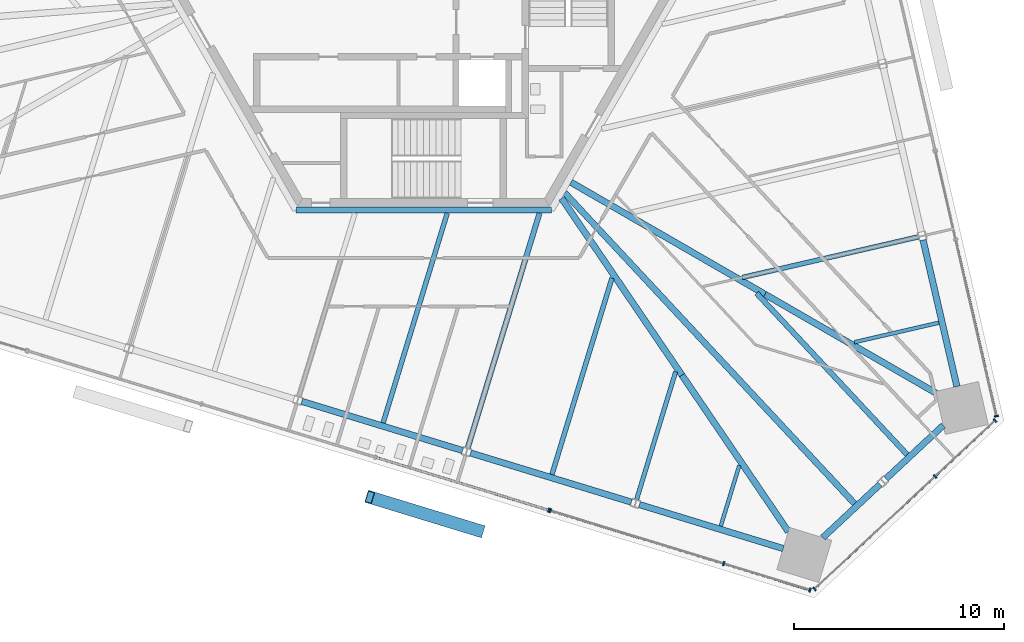
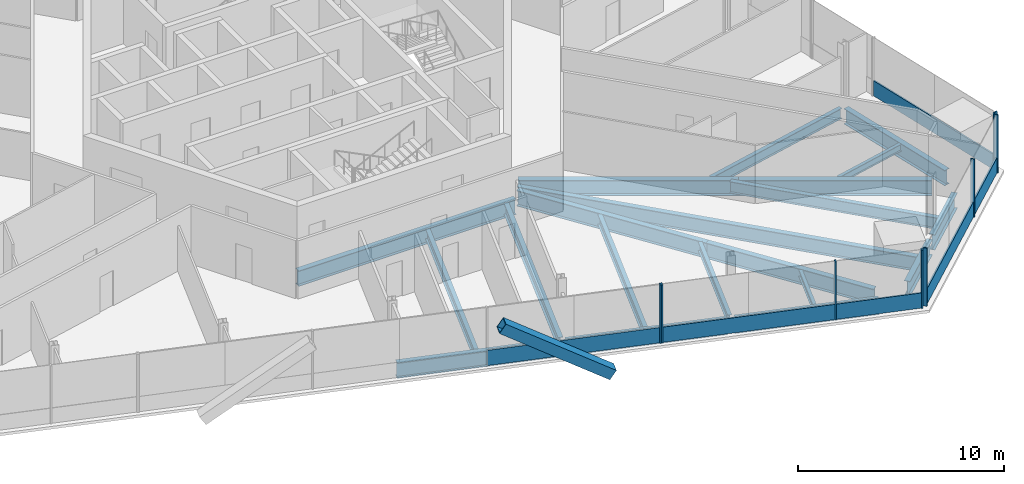
# One storey, part 5 of 19: 20 beams, 15 members, 4 elements without a shape of their own.
"""IFC4 building model written with IfcOpenShell, lengths in metres."""

from ifc_helpers import new_model, si_unit, direction, frame, origin, origin_2d, place, context, subcontext, project, spatial, rectangle, hollow_rectangle, i_section, extrude, source, transform, mapped, material, material_profile, profile_set, type_object, element, aggregate, save


model = new_model("IFC4")

# Units and contexts
model_context = context("Model", 3, precision=1e-05, world=origin(), true_north=direction((0.0, 1.0)))
body_context = subcontext(model_context, "Body", "Model", "MODEL_VIEW")
ifc_project = project(units=[si_unit("LENGTHUNIT", "METRE"), si_unit("AREAUNIT", "SQUARE_METRE"), si_unit("VOLUMEUNIT", "CUBIC_METRE"), si_unit("PLANEANGLEUNIT", "RADIAN"), si_unit("MASSUNIT", "GRAM", prefix="KILO")], contexts=[model_context])

# Site, building, storey
site_placement = place(None, origin())
site = spatial("IfcSite", under=ifc_project, at=site_placement, CompositionType="ELEMENT")
building_placement = place(site_placement, origin())
building = spatial("IfcBuilding", under=site, at=building_placement, Name="Triune Harvest Tower", CompositionType="ELEMENT")
storey_placement = place(building_placement, frame((0.0, 0.0, 109.10009765625)))
storey = spatial("IfcBuildingStorey", under=building, at=storey_placement, Name="L27", CompositionType="ELEMENT", Elevation=109.10009765625)

# Beams
ifc_material_1 = material(Name="Steel ASTM A992 Gr 50", Category="steel")
ifc_material_profile_1 = material_profile(ifc_material_1, i_section(OverallWidth=0.3046875, OverallDepth=0.914306640625, WebThickness=0.0166015625, FlangeThickness=0.02587890625, at=origin_2d()), Name="W36x160")
ifc_profile_set_1 = profile_set([ifc_material_profile_1], Name="Steel ASTM A992 Gr 50")
beam_type_1 = type_object("IfcBeamType", Name="CG-1 Core ring girder W36x160", PredefinedType="BEAM", material=ifc_profile_set_1)
shared_shape_1 = source(origin(), body_context, "Body", "SweptSolid", [
    extrude(i_section(OverallWidth=0.3046875, OverallDepth=0.914306640625, WebThickness=0.0166015625, FlangeThickness=0.02587890625, at=origin_2d()), origin(), (0.0, 0.0, 1.0), 12.17578125),
])
beam_1_placement = place(storey_placement, frame((-6.087890625, -10.544677734375, -0.6171875), z_axis=(1.0, 0.0, 0.0), x_axis=(0.0, 1.0, 0.0)))
element("IfcBeam", 1, at=beam_1_placement, inside=storey, type_object=beam_type_1, Name="beam/L27/CG5", PredefinedType="BEAM", context=body_context, shape_type="MappedRepresentation", body=[
    mapped(shared_shape_1, transform((0.0, 0.0, 0.0), scale=1.0)),
])
ifc_material_2 = material(Name="Steel ASTM A992 Gr 50", Category="steel")
ifc_material_profile_2 = material_profile(ifc_material_2, i_section(OverallWidth=0.307373046875, OverallDepth=0.922119140625, WebThickness=0.018310546875, FlangeThickness=0.030029296875, at=origin_2d()), Name="W36x182")
ifc_profile_set_2 = profile_set([ifc_material_profile_2], Name="Steel ASTM A992 Gr 50")
beam_type_2 = type_object("IfcBeamType", Name="HG-2 Hip girder W36x182", PredefinedType="BEAM", material=ifc_profile_set_2)
shared_shape_2 = source(origin(), body_context, "Body", "SweptSolid", [
    extrude(i_section(OverallWidth=0.307373046875, OverallDepth=0.922119140625, WebThickness=0.018310546875, FlangeThickness=0.030029296875, at=origin_2d()), origin(), (0.0, 0.0, 1.0), 10.681640625),
])
beam_2_placement = place(storey_placement, frame((16.27587890625, -14.56640625, -0.62109375), z_axis=(-0.866023441189, 0.500003399299, 0.0), x_axis=(-0.500003399299, -0.866023441189, 0.0)))
element("IfcBeam", 2, at=beam_2_placement, inside=storey, type_object=beam_type_2, Name="beam/L27/HG2", PredefinedType="BEAM", context=body_context, shape_type="MappedRepresentation", body=[
    mapped(shared_shape_2, transform((0.0, 0.0, 0.0), scale=1.0)),
])
shared_shape_3 = source(origin(), body_context, "Body", "SweptSolid", [
    extrude(i_section(OverallWidth=0.307373046875, OverallDepth=0.922119140625, WebThickness=0.018310546875, FlangeThickness=0.030029296875, at=origin_2d()), origin(), (0.0, 0.0, 1.0), 10.194091796875),
])
beam_3_placement = place(storey_placement, frame((12.31640625, -18.4208984375, -0.62109375), z_axis=(-0.562397141719, 0.826867253545, 0.0), x_axis=(-0.826867253545, -0.562397141719, 0.0)))
element("IfcBeam", 3, at=beam_3_placement, inside=storey, type_object=beam_type_2, Name="beam/L27/HG8", PredefinedType="BEAM", context=body_context, shape_type="MappedRepresentation", body=[
    mapped(shared_shape_3, transform((0.0, 0.0, 0.0), scale=1.0)),
])
ifc_material_3 = material(Name="Steel ASTM A992 Gr 50", Category="steel")
ifc_material_profile_3 = material_profile(ifc_material_3, i_section(OverallWidth=0.3046875, OverallDepth=0.914306640625, WebThickness=0.0166015625, FlangeThickness=0.02587890625, at=origin_2d()), Name="W36x160")
ifc_profile_set_3 = profile_set([ifc_material_profile_3], Name="Steel ASTM A992 Gr 50")
beam_type_3 = type_object("IfcBeamType", Name="SB-1 Spandrel beam W36x160", PredefinedType="SPANDREL", material=ifc_profile_set_3)
shared_shape_4 = source(origin(), body_context, "Body", "SweptSolid", [
    extrude(i_section(OverallWidth=0.3046875, OverallDepth=0.914306640625, WebThickness=0.0166015625, FlangeThickness=0.02587890625, at=origin_2d()), origin(), (0.0, 0.0, 1.0), 7.166259765625),
])
beam_4_placement = place(storey_placement, frame((25.42236328125, -18.96044921875, -0.6171875), z_axis=(-0.224949077026, 0.974370521283, 0.0), x_axis=(-0.974370521283, -0.224949077026, 0.0)))
element("IfcBeam", 4, at=beam_4_placement, inside=storey, type_object=beam_type_3, Name="beam/L27/SB1", PredefinedType="SPANDREL", context=body_context, shape_type="MappedRepresentation", body=[
    mapped(shared_shape_4, transform((0.0, 0.0, 0.0), scale=1.0)),
])
shared_shape_5 = source(origin(), body_context, "Body", "SweptSolid", [
    extrude(i_section(OverallWidth=0.3046875, OverallDepth=0.914306640625, WebThickness=0.0166015625, FlangeThickness=0.02587890625, at=origin_2d()), origin(), (0.0, 0.0, 1.0), 8.018310546875),
])
beam_5_placement = place(storey_placement, frame((-5.805908203125, -19.66748046875, -0.6171875), z_axis=(0.956308069579, -0.292360866152, 0.0), x_axis=(0.292360866152, 0.956308069579, 0.0)))
element("IfcBeam", 5, at=beam_5_placement, inside=storey, type_object=beam_type_3, Name="beam/L27/SB20", PredefinedType="SPANDREL", context=body_context, shape_type="MappedRepresentation", body=[
    mapped(shared_shape_5, transform((0.0, 0.0, 0.0), scale=1.0)),
])
shared_shape_6 = source(origin(), body_context, "Body", "SweptSolid", [
    extrude(i_section(OverallWidth=0.3046875, OverallDepth=0.914306640625, WebThickness=0.0166015625, FlangeThickness=0.02587890625, at=origin_2d()), origin(), (0.0, 0.0, 1.0), 8.01806640625),
])
beam_6_placement = place(storey_placement, frame((2.240966796875, -22.127685546875, -0.6171875), z_axis=(0.956305466934, -0.292369379231, 0.0), x_axis=(0.292369379231, 0.956305466934, 0.0)))
element("IfcBeam", 6, at=beam_6_placement, inside=storey, type_object=beam_type_3, Name="beam/L27/SB21", PredefinedType="SPANDREL", context=body_context, shape_type="MappedRepresentation", body=[
    mapped(shared_shape_6, transform((0.0, 0.0, 0.0), scale=1.0)),
])
shared_shape_7 = source(origin(), body_context, "Body", "SweptSolid", [
    extrude(i_section(OverallWidth=0.3046875, OverallDepth=0.914306640625, WebThickness=0.0166015625, FlangeThickness=0.02587890625, at=origin_2d()), origin(), (0.0, 0.0, 1.0), 7.16650390625),
])
beam_7_placement = place(storey_placement, frame((10.287841796875, -24.587646484375, -0.6171875), z_axis=(0.956296811344, -0.292397689137, 0.0), x_axis=(0.292397689137, 0.956296811344, 0.0)))
element("IfcBeam", 7, at=beam_7_placement, inside=storey, type_object=beam_type_3, Name="beam/L27/SB22", PredefinedType="SPANDREL", context=body_context, shape_type="MappedRepresentation", body=[
    mapped(shared_shape_7, transform((0.0, 0.0, 0.0), scale=1.0)),
])
shared_shape_8 = source(origin(), body_context, "Body", "SweptSolid", [
    extrude(i_section(OverallWidth=0.3046875, OverallDepth=0.914306640625, WebThickness=0.0166015625, FlangeThickness=0.02587890625, at=origin_2d()), origin(), (0.0, 0.0, 1.0), 3.72607421875),
])
beam_8_placement = place(storey_placement, frame((19.03173828125, -26.1630859375, -0.6171875), z_axis=(0.731344988612, 0.682007703499, 0.0), x_axis=(-0.682007703499, 0.731344988612, 0.0)))
element("IfcBeam", 8, at=beam_8_placement, inside=storey, type_object=beam_type_3, Name="beam/L27/SB23", PredefinedType="SPANDREL", context=body_context, shape_type="MappedRepresentation", body=[
    mapped(shared_shape_8, transform((0.0, 0.0, 0.0), scale=1.0)),
])
shared_shape_9 = source(origin(), body_context, "Body", "SweptSolid", [
    extrude(i_section(OverallWidth=0.3046875, OverallDepth=0.914306640625, WebThickness=0.0166015625, FlangeThickness=0.02587890625, at=origin_2d()), origin(), (0.0, 0.0, 1.0), 3.726318359375),
])
beam_9_placement = place(storey_placement, frame((22.046630859375, -23.351806640625, -0.6171875), z_axis=(0.731375462482, 0.681975023647, 0.0), x_axis=(-0.681975023647, 0.731375462482, 0.0)))
element("IfcBeam", 9, at=beam_9_placement, inside=storey, type_object=beam_type_3, Name="beam/L27/SB24", PredefinedType="SPANDREL", context=body_context, shape_type="MappedRepresentation", body=[
    mapped(shared_shape_9, transform((0.0, 0.0, 0.0), scale=1.0)),
])
shared_shape_10 = source(origin(), body_context, "Body", "SweptSolid", [
    extrude(i_section(OverallWidth=0.307373046875, OverallDepth=0.922119140625, WebThickness=0.018310546875, FlangeThickness=0.030029296875, at=origin_2d()), origin(), (0.0, 0.0, 1.0), 9.3984375),
])
beam_10_placement = place(storey_placement, frame((24.415283203125, -19.265625, -0.62109375), z_axis=(-0.866028560268, 0.49999453277, 0.0), x_axis=(-0.49999453277, -0.866028560268, 0.0)))
element("IfcBeam", 10, at=beam_10_placement, inside=storey, type_object=beam_type_2, Name="beam/L27/HG1", PredefinedType="BEAM", context=body_context, shape_type="MappedRepresentation", body=[
    mapped(shared_shape_10, transform((0.0, 0.0, 0.0), scale=1.0)),
])
shared_shape_11 = source(origin(), body_context, "Body", "SweptSolid", [
    extrude(i_section(OverallWidth=0.307373046875, OverallDepth=0.922119140625, WebThickness=0.018310546875, FlangeThickness=0.030029296875, at=origin_2d()), origin(), (0.0, 0.0, 1.0), 9.0166015625),
])
beam_11_placement = place(storey_placement, frame((17.3876953125, -25.876220703125, -0.62109375), z_axis=(-0.562436658991, 0.826840374331, 0.0), x_axis=(-0.826840374331, -0.562436658991, 0.0)))
element("IfcBeam", 11, at=beam_11_placement, inside=storey, type_object=beam_type_2, Name="beam/L27/HG7", PredefinedType="BEAM", context=body_context, shape_type="MappedRepresentation", body=[
    mapped(shared_shape_11, transform((0.0, 0.0, 0.0), scale=1.0)),
])
ifc_material_4 = material(Name="Steel ASTM A992 Gr 50", Category="steel")
ifc_material_profile_4 = material_profile(ifc_material_4, i_section(OverallWidth=0.180908203125, OverallDepth=0.41650390625, WebThickness=0.010986328125, FlangeThickness=0.01806640625, at=origin_2d()), Name="W16x57")
ifc_profile_set_4 = profile_set([ifc_material_profile_4], Name="Steel ASTM A992 Gr 50")
beam_type_4 = type_object("IfcBeamType", Name="JT-1 Floor joist W16x57", PredefinedType="JOIST", material=ifc_profile_set_4)
shared_shape_12 = source(origin(), body_context, "Body", "SweptSolid", [
    extrude(i_section(OverallWidth=0.180908203125, OverallDepth=0.41650390625, WebThickness=0.010986328125, FlangeThickness=0.01806640625, at=origin_2d()), origin(), (0.0, 0.0, 1.0), 4.1337890625),
])
beam_12_placement = place(storey_placement, frame((24.563720703125, -15.91845703125, -0.368408203125), z_axis=(-0.974368296684, -0.224958712697, 0.0), x_axis=(0.224958712697, -0.974368296684, 0.0)))
element("IfcBeam", 12, at=beam_12_placement, inside=storey, type_object=beam_type_4, Name="beam/L27/JT1", PredefinedType="JOIST", context=body_context, shape_type="MappedRepresentation", body=[
    mapped(shared_shape_12, transform((0.0, 0.0, 0.0), scale=1.0)),
])
ifc_material_5 = material(Name="Steel ASTM A992 Gr 50", Category="steel")
ifc_material_profile_5 = material_profile(ifc_material_5, i_section(OverallWidth=0.22900390625, OverallDepth=0.612060546875, WebThickness=0.011962890625, FlangeThickness=0.01953125, at=origin_2d()), Name="W24x84")
ifc_profile_set_5 = profile_set([ifc_material_profile_5], Name="Steel ASTM A992 Gr 50")
beam_type_5 = type_object("IfcBeamType", Name="JT-3 Floor joist W24x84", PredefinedType="JOIST", material=ifc_profile_set_5)
shared_shape_13 = source(origin(), body_context, "Body", "SweptSolid", [
    extrude(i_section(OverallWidth=0.22900390625, OverallDepth=0.612060546875, WebThickness=0.011962890625, FlangeThickness=0.01953125, at=origin_2d()), origin(), (0.0, 0.0, 1.0), 8.607421875),
])
beam_13_placement = place(storey_placement, frame((23.580078125, -11.82763671875, -0.46630859375), z_axis=(-0.97436872252, -0.224956868255, 0.0), x_axis=(0.224956868255, -0.97436872252, 0.0)))
element("IfcBeam", 13, at=beam_13_placement, inside=storey, type_object=beam_type_5, Name="beam/L27/JT2", PredefinedType="JOIST", context=body_context, shape_type="MappedRepresentation", body=[
    mapped(shared_shape_13, transform((0.0, 0.0, 0.0), scale=1.0)),
])
shared_shape_14 = source(origin(), body_context, "Body", "SweptSolid", [
    extrude(i_section(OverallWidth=0.22900390625, OverallDepth=0.612060546875, WebThickness=0.011962890625, FlangeThickness=0.01953125, at=origin_2d()), origin(), (0.0, 0.0, 1.0), 10.45361328125),
])
beam_14_placement = place(storey_placement, frame((-1.92724609375, -20.69384765625, -0.46630859375), z_axis=(0.29235559587, 0.956309680785, 0.0), x_axis=(-0.956309680785, 0.29235559587, 0.0)))
element("IfcBeam", 14, at=beam_14_placement, inside=storey, type_object=beam_type_5, Name="beam/L27/JT33", PredefinedType="JOIST", context=body_context, shape_type="MappedRepresentation", body=[
    mapped(shared_shape_14, transform((0.0, 0.0, 0.0), scale=1.0)),
])
shared_shape_15 = source(origin(), body_context, "Body", "SweptSolid", [
    extrude(i_section(OverallWidth=0.22900390625, OverallDepth=0.612060546875, WebThickness=0.011962890625, FlangeThickness=0.01953125, at=origin_2d()), origin(), (0.0, 0.0, 1.0), 9.790283203125),
])
beam_15_placement = place(storey_placement, frame((6.119384765625, -23.154052734375, -0.46630859375), z_axis=(0.292383884863, 0.956301032036, 0.0), x_axis=(-0.956301032036, 0.292383884863, 0.0)))
element("IfcBeam", 15, at=beam_15_placement, inside=storey, type_object=beam_type_5, Name="beam/L27/JT35", PredefinedType="JOIST", context=body_context, shape_type="MappedRepresentation", body=[
    mapped(shared_shape_15, transform((0.0, 0.0, 0.0), scale=1.0)),
])
ifc_material_6 = material(Name="Steel ASTM A992 Gr 50", Category="steel")
ifc_material_profile_6 = material_profile(ifc_material_6, i_section(OverallWidth=0.253662109375, OverallDepth=0.683349609375, WebThickness=0.012451171875, FlangeThickness=0.01904296875, at=origin_2d()), Name="W27x94")
ifc_profile_set_6 = profile_set([ifc_material_profile_6], Name="Steel ASTM A992 Gr 50")
beam_type_6 = type_object("IfcBeamType", Name="JT-4 Floor joist W27x94", PredefinedType="JOIST", material=ifc_profile_set_6)
shared_shape_16 = source(origin(), body_context, "Body", "SweptSolid", [
    extrude(i_section(OverallWidth=0.253662109375, OverallDepth=0.683349609375, WebThickness=0.012451171875, FlangeThickness=0.01904296875, at=origin_2d()), origin(), (0.0, 0.0, 1.0), 11.70166015625),
])
beam_16_placement = place(storey_placement, frame((2.107177734375, -21.887451171875, -0.501708984375), z_axis=(0.292381788251, 0.956301673061, 0.0), x_axis=(-0.956301673061, 0.292381788251, 0.0)))
element("IfcBeam", 16, at=beam_16_placement, inside=storey, type_object=beam_type_6, Name="beam/L27/JT34", PredefinedType="JOIST", context=body_context, shape_type="MappedRepresentation", body=[
    mapped(shared_shape_16, transform((0.0, 0.0, 0.0), scale=1.0)),
])
ifc_material_7 = material(Name="Steel ASTM A992 Gr 50", Category="steel")
ifc_material_profile_7 = material_profile(ifc_material_7, i_section(OverallWidth=0.2099609375, OverallDepth=0.535888671875, WebThickness=0.010986328125, FlangeThickness=0.017333984375, at=origin_2d()), Name="W21x68")
ifc_profile_set_7 = profile_set([ifc_material_profile_7], Name="Steel ASTM A992 Gr 50")
beam_type_7 = type_object("IfcBeamType", Name="JT-2 Floor joist W21x68", PredefinedType="JOIST", material=ifc_profile_set_7)
shared_shape_17 = source(origin(), body_context, "Body", "SweptSolid", [
    extrude(i_section(OverallWidth=0.2099609375, OverallDepth=0.535888671875, WebThickness=0.010986328125, FlangeThickness=0.017333984375, at=origin_2d()), origin(), (0.0, 0.0, 1.0), 6.3720703125),
])
beam_17_placement = place(storey_placement, frame((10.154052734375, -24.34765625, -0.427978515625), z_axis=(0.292370379947, 0.956305160986, 0.0), x_axis=(-0.956305160986, 0.292370379947, 0.0)))
element("IfcBeam", 17, at=beam_17_placement, inside=storey, type_object=beam_type_7, Name="beam/L27/JT36", PredefinedType="JOIST", context=body_context, shape_type="MappedRepresentation", body=[
    mapped(shared_shape_17, transform((0.0, 0.0, 0.0), scale=1.0)),
])
ifc_material_8 = material(Name="Steel ASTM A992 Gr 50", Category="steel")
ifc_material_profile_8 = material_profile(ifc_material_8, i_section(OverallWidth=0.2919921875, OverallDepth=0.8583984375, WebThickness=0.01708984375, FlangeThickness=0.031005859375, at=origin_2d()), Name="W33x169")
ifc_profile_set_8 = profile_set([ifc_material_profile_8], Name="Steel ASTM A992 Gr 50")
beam_type_8 = type_object("IfcBeamType", Name="JT-7 Floor joist W33x169", PredefinedType="JOIST", material=ifc_profile_set_8)
shared_shape_18 = source(origin(), body_context, "Body", "SweptSolid", [
    extrude(i_section(OverallWidth=0.2919921875, OverallDepth=0.8583984375, WebThickness=0.01708984375, FlangeThickness=0.031005859375, at=origin_2d()), origin(), (0.0, 0.0, 1.0), 20.25244140625),
])
beam_18_placement = place(storey_placement, frame((20.545654296875, -24.54296875, -0.58935546875), z_axis=(-0.681993474081, 0.73135825784, 0.0), x_axis=(-0.73135825784, -0.681993474081, 0.0)))
element("IfcBeam", 18, at=beam_18_placement, inside=storey, type_object=beam_type_8, Name="beam/L27/JT38", PredefinedType="JOIST", context=body_context, shape_type="MappedRepresentation", body=[
    mapped(shared_shape_18, transform((0.0, 0.0, 0.0), scale=1.0)),
])
shared_shape_19 = source(origin(), body_context, "Body", "SweptSolid", [
    extrude(i_section(OverallWidth=0.253662109375, OverallDepth=0.683349609375, WebThickness=0.012451171875, FlangeThickness=0.01904296875, at=origin_2d()), origin(), (0.0, 0.0, 1.0), 10.52294921875),
])
beam_19_placement = place(storey_placement, frame((23.05029296875, -22.20751953125, -0.501708984375), z_axis=(-0.682013989315, 0.731339126793, 0.0), x_axis=(-0.731339126793, -0.682013989315, 0.0)))
element("IfcBeam", 19, at=beam_19_placement, inside=storey, type_object=beam_type_6, Name="beam/L27/JT39", PredefinedType="JOIST", context=body_context, shape_type="MappedRepresentation", body=[
    mapped(shared_shape_19, transform((0.0, 0.0, 0.0), scale=1.0)),
])
shared_shape_20 = source(origin(), body_context, "Body", "SweptSolid", [
    extrude(i_section(OverallWidth=0.180908203125, OverallDepth=0.41650390625, WebThickness=0.010986328125, FlangeThickness=0.01806640625, at=origin_2d()), origin(), (0.0, 0.0, 1.0), 3.030029296875),
])
beam_20_placement = place(storey_placement, frame((14.166259765625, -25.614013671875, -0.368408203125), z_axis=(0.2923925234, 0.956298390807, 0.0), x_axis=(-0.956298390807, 0.2923925234, 0.0)))
element("IfcBeam", 20, at=beam_20_placement, inside=storey, type_object=beam_type_4, Name="beam/L27/JT37", PredefinedType="JOIST", context=body_context, shape_type="MappedRepresentation", body=[
    mapped(shared_shape_20, transform((0.0, 0.0, 0.0), scale=1.0)),
])

# Member
ifc_material_9 = material(Name="Steel ASTM A572 Gr 50", Category="steel")
ifc_material_profile_9 = material_profile(ifc_material_9, hollow_rectangle(XDim=0.60009765625, YDim=0.60009765625, WallThickness=0.0400390625, at=origin_2d()), Name="Box 600x600x40")
ifc_profile_set_9 = profile_set([ifc_material_profile_9], Name="Steel ASTM A572 Gr 50")
member_type_1 = type_object("IfcMemberType", Name="BR-2 Brace Box 600x600x40", PredefinedType="BRACE", material=ifc_profile_set_9)
shared_shape_21 = source(origin(), body_context, "Body", "SweptSolid", [
    extrude(hollow_rectangle(XDim=0.60009765625, YDim=0.60009765625, WallThickness=0.0400390625, at=origin_2d()), origin(), (0.0, 0.0, 1.0), 6.56640625),
])
member_1_placement = place(storey_placement, frame((2.68896484375, -25.839599609375, 0.0), z_axis=(-0.799784211376, 0.244534459496, 0.548222685916), x_axis=(-0.292389077488, -0.956299444403, 0.0)))
element("IfcMember", 21, at=member_1_placement, inside=storey, type_object=member_type_1, Name="brace/B3-F5/d2/4", PredefinedType="BRACE", context=body_context, shape_type="MappedRepresentation", body=[
    mapped(shared_shape_21, transform((0.0, 0.0, 0.0), scale=1.0)),
])

# Curtain wall, member
ifc_material_10 = material(Name="Aluminium bronze anodised", Category="aluminium")
curtain_wall_type_1 = type_object("IfcCurtainWallType", Name="CW-1 Tower stick curtain wall", PredefinedType="NOTDEFINED", material=ifc_material_10)
curtain_wall_1_placement = place(storey_placement, origin())
curtain_wall_1 = element("IfcCurtainWall", 22, at=curtain_wall_1_placement, inside=storey, type_object=curtain_wall_type_1, Name="CW-1 B3-F1 L27 run 1")
ifc_material_11 = material(Name="Aluminium bronze anodised", Category="aluminium")
ifc_material_profile_10 = material_profile(ifc_material_11, rectangle(XDim=0.199951171875, YDim=0.074951171875, at=origin_2d()), Name="MU-1 mullion 75 x 200")
ifc_profile_set_10 = profile_set([ifc_material_profile_10], Name="Aluminium bronze anodised")
member_type_2 = type_object("IfcMemberType", Name="MU-1 mullion 75 x 200", PredefinedType="MULLION", material=ifc_profile_set_10)
shared_shape_22 = source(origin(), body_context, "Body", "SweptSolid", [
    extrude(rectangle(XDim=0.199951171875, YDim=0.074951171875, at=origin_2d()), origin(), (0.0, 0.0, 1.0), 3.43994140625),
])
member_2_placement = place(storey_placement, frame((27.306884765625, -20.3720703125, 0.0), z_axis=(0.0, 0.0, 1.0), x_axis=(-0.974370100513, -0.22495089959, 0.0)))
member_2 = element("IfcMember", 23, at=member_2_placement, type_object=member_type_2, Name="CW-1 mullion B3-F1 1.1", PredefinedType="MULLION", context=body_context, shape_type="MappedRepresentation", body=[
    mapped(shared_shape_22, transform((0.0, 0.0, 0.0), scale=1.0)),
])

ifc_material_12 = material(Name="Aluminium bronze anodised", Category="aluminium")
curtain_wall_type_2 = type_object("IfcCurtainWallType", Name="CW-7 Tower stick curtain wall with insulated spandrel infill", PredefinedType="NOTDEFINED", material=ifc_material_12)
curtain_wall_2_placement = place(storey_placement, origin())
curtain_wall_2 = element("IfcCurtainWall", 24, at=curtain_wall_2_placement, inside=storey, type_object=curtain_wall_type_2, Name="CW-7 B3-F5 L27 run 1001")
member_3_placement = place(storey_placement, frame((5.97119140625, -24.856201171875, 0.0), z_axis=(0.0, 0.0, 1.0), x_axis=(0.292373035069, 0.956304349234, 0.0)))
member_3 = element("IfcMember", 25, at=member_3_placement, type_object=member_type_2, Name="CW-7 mullion B3-F5 1001.7", PredefinedType="MULLION", context=body_context, shape_type="MappedRepresentation", body=[
    mapped(shared_shape_22, transform((0.0, 0.0, 0.0), scale=1.0)),
])

# Curtain wall, members
curtain_wall_3_placement = place(storey_placement, origin())
curtain_wall_3 = element("IfcCurtainWall", 26, at=curtain_wall_3_placement, inside=storey, type_object=curtain_wall_type_1, Name="CW-1 B3-F5 L27 run 2001")
member_4_placement = place(storey_placement, frame((6.04296875, -24.878173828125, 0.0), z_axis=(0.0, 0.0, 1.0), x_axis=(0.292373817276, 0.956304110088, 0.0)))
member_4 = element("IfcMember", 27, at=member_4_placement, type_object=member_type_2, Name="CW-1 mullion B3-F5 2001.1", PredefinedType="MULLION", context=body_context, shape_type="MappedRepresentation", body=[
    mapped(shared_shape_22, transform((0.0, 0.0, 0.0), scale=1.0)),
])
member_5_placement = place(storey_placement, frame((14.3046875, -27.404052734375, 0.0), z_axis=(0.0, 0.0, 1.0), x_axis=(0.292373817276, 0.956304110088, 0.0)))
member_5 = element("IfcMember", 28, at=member_5_placement, type_object=member_type_2, Name="CW-1 mullion B3-F5 2001.3", PredefinedType="MULLION", context=body_context, shape_type="MappedRepresentation", body=[
    mapped(shared_shape_22, transform((0.0, 0.0, 0.0), scale=1.0)),
])
member_6_placement = place(storey_placement, frame((18.417724609375, -28.661376953125, 0.0), z_axis=(0.0, 0.0, 1.0), x_axis=(0.292373817276, 0.956304110088, 0.0)))
member_6 = element("IfcMember", 29, at=member_6_placement, type_object=member_type_2, Name="CW-1 mullion B3-F5 2001.4", PredefinedType="MULLION", context=body_context, shape_type="MappedRepresentation", body=[
    mapped(shared_shape_22, transform((0.0, 0.0, 0.0), scale=1.0)),
])

curtain_wall_4_placement = place(storey_placement, origin())
curtain_wall_4 = element("IfcCurtainWall", 30, at=curtain_wall_4_placement, inside=storey, type_object=curtain_wall_type_1, Name="CW-1 B3-F6 L27 run 1")
member_7_placement = place(storey_placement, frame((18.6328125, -28.61181640625, 0.0), z_axis=(0.0, 0.0, 1.0), x_axis=(-0.682002387287, 0.731349946151, 0.0)))
member_7 = element("IfcMember", 31, at=member_7_placement, type_object=member_type_2, Name="CW-1 mullion B3-F6 1.1", PredefinedType="MULLION", context=body_context, shape_type="MappedRepresentation", body=[
    mapped(shared_shape_22, transform((0.0, 0.0, 0.0), scale=1.0)),
])
member_8_placement = place(storey_placement, frame((24.381591796875, -23.2509765625, 0.0), z_axis=(0.0, 0.0, 1.0), x_axis=(-0.682002387287, 0.731349946151, 0.0)))
member_8 = element("IfcMember", 32, at=member_8_placement, type_object=member_type_2, Name="CW-1 mullion B3-F6 1.3", PredefinedType="MULLION", context=body_context, shape_type="MappedRepresentation", body=[
    mapped(shared_shape_22, transform((0.0, 0.0, 0.0), scale=1.0)),
])
member_9_placement = place(storey_placement, frame((27.2421875, -20.583251953125, 0.0), z_axis=(0.0, 0.0, 1.0), x_axis=(-0.682002387287, 0.731349946151, 0.0)))
member_9 = element("IfcMember", 33, at=member_9_placement, type_object=member_type_2, Name="CW-1 mullion B3-F6 1.4", PredefinedType="MULLION", context=body_context, shape_type="MappedRepresentation", body=[
    mapped(shared_shape_22, transform((0.0, 0.0, 0.0), scale=1.0)),
])
ifc_material_13 = material(Name="Aluminium bronze anodised", Category="aluminium")
ifc_material_profile_11 = material_profile(ifc_material_13, rectangle(XDim=0.090087890625, YDim=0.89990234375, at=origin_2d()), Name="TR-1 transom 90 x 900")
ifc_profile_set_11 = profile_set([ifc_material_profile_11], Name="Aluminium bronze anodised")
member_type_3 = type_object("IfcMemberType", Name="TR-1 transom 90 x 900", PredefinedType="USERDEFINED", material=ifc_profile_set_11)
shared_shape_23 = source(origin(), body_context, "Body", "SweptSolid", [
    extrude(rectangle(XDim=0.090087890625, YDim=0.89990234375, at=origin_2d()), origin(), (0.0, 0.0, 1.0), 7.78564453125),
])
member_10_placement = place(storey_placement, frame((18.66015625, -28.586181640625, 0.449951171875), z_axis=(0.731354473546, 0.681997532271, 0.0), x_axis=(-0.681997532271, 0.731354473546, 0.0)))
member_10 = element("IfcMember", 34, at=member_10_placement, type_object=member_type_3, Name="CW-1 transom B3-F6 1.1", ObjectType="TRANSOM", PredefinedType="USERDEFINED", context=body_context, shape_type="MappedRepresentation", body=[
    mapped(shared_shape_23, transform((0.0, 0.0, 0.0), scale=1.0)),
])
shared_shape_24 = source(origin(), body_context, "Body", "SweptSolid", [
    extrude(rectangle(XDim=0.090087890625, YDim=0.89990234375, at=origin_2d()), origin(), (0.0, 0.0, 1.0), 3.83642578125),
])
member_11_placement = place(storey_placement, frame((24.408935546875, -23.225341796875, 0.449951171875), z_axis=(0.73136626704, 0.681984885049, 0.0), x_axis=(-0.681984885049, 0.73136626704, 0.0)))
member_11 = element("IfcMember", 35, at=member_11_placement, type_object=member_type_3, Name="CW-1 transom B3-F6 1.2", ObjectType="TRANSOM", PredefinedType="USERDEFINED", context=body_context, shape_type="MappedRepresentation", body=[
    mapped(shared_shape_24, transform((0.0, 0.0, 0.0), scale=1.0)),
])
aggregate(curtain_wall_4, [member_7, member_8, member_9, member_10, member_11])

# Member
shared_shape_25 = source(origin(), body_context, "Body", "SweptSolid", [
    extrude(rectangle(XDim=0.090087890625, YDim=0.89990234375, at=origin_2d()), origin(), (0.0, 0.0, 1.0), 8.564208984375),
])
member_12_placement = place(storey_placement, frame((27.29833984375, -20.33544921875, 0.449951171875), z_axis=(-0.224949030659, 0.974370531988, 0.0), x_axis=(-0.974370531988, -0.224949030659, 0.0)))
member_12 = element("IfcMember", 36, at=member_12_placement, type_object=member_type_3, Name="CW-1 transom B3-F1 1.1", ObjectType="TRANSOM", PredefinedType="USERDEFINED", context=body_context, shape_type="MappedRepresentation", body=[
    mapped(shared_shape_25, transform((0.0, 0.0, 0.0), scale=1.0)),
])

aggregate(curtain_wall_1, [member_2, member_12])

member_13_placement = place(storey_placement, frame((-2.254638671875, -22.34130859375, 0.449951171875), z_axis=(0.956305086263, -0.292370624358, 0.0), x_axis=(0.292370624358, 0.956305086263, 0.0)))
member_13 = element("IfcMember", 37, at=member_13_placement, type_object=member_type_3, Name="CW-7 transom B3-F5 1001.3", ObjectType="TRANSOM", PredefinedType="USERDEFINED", context=body_context, shape_type="MappedRepresentation", body=[
    mapped(shared_shape_25, transform((0.0, 0.0, 0.0), scale=1.0)),
])

aggregate(curtain_wall_2, [member_3, member_13])

member_14_placement = place(storey_placement, frame((6.078857421875, -24.888916015625, 0.449951171875), z_axis=(0.956297115468, -0.29239669449, 0.0), x_axis=(0.29239669449, 0.956297115468, 0.0)))
member_14 = element("IfcMember", 38, at=member_14_placement, type_object=member_type_3, Name="CW-1 transom B3-F5 2001.1", ObjectType="TRANSOM", PredefinedType="USERDEFINED", context=body_context, shape_type="MappedRepresentation", body=[
    mapped(shared_shape_25, transform((0.0, 0.0, 0.0), scale=1.0)),
])

shared_shape_26 = source(origin(), body_context, "Body", "SweptSolid", [
    extrude(rectangle(XDim=0.090087890625, YDim=0.89990234375, at=origin_2d()), origin(), (0.0, 0.0, 1.0), 4.225830078125),
])
member_15_placement = place(storey_placement, frame((14.340576171875, -27.4150390625, 0.449951171875), z_axis=(0.956317031021, -0.292331551801, 0.0), x_axis=(0.292331551801, 0.956317031021, 0.0)))
member_15 = element("IfcMember", 39, at=member_15_placement, type_object=member_type_3, Name="CW-1 transom B3-F5 2001.2", ObjectType="TRANSOM", PredefinedType="USERDEFINED", context=body_context, shape_type="MappedRepresentation", body=[
    mapped(shared_shape_26, transform((0.0, 0.0, 0.0), scale=1.0)),
])

aggregate(curtain_wall_3, [member_4, member_5, member_6, member_14, member_15])

save(model, "model.ifc")
